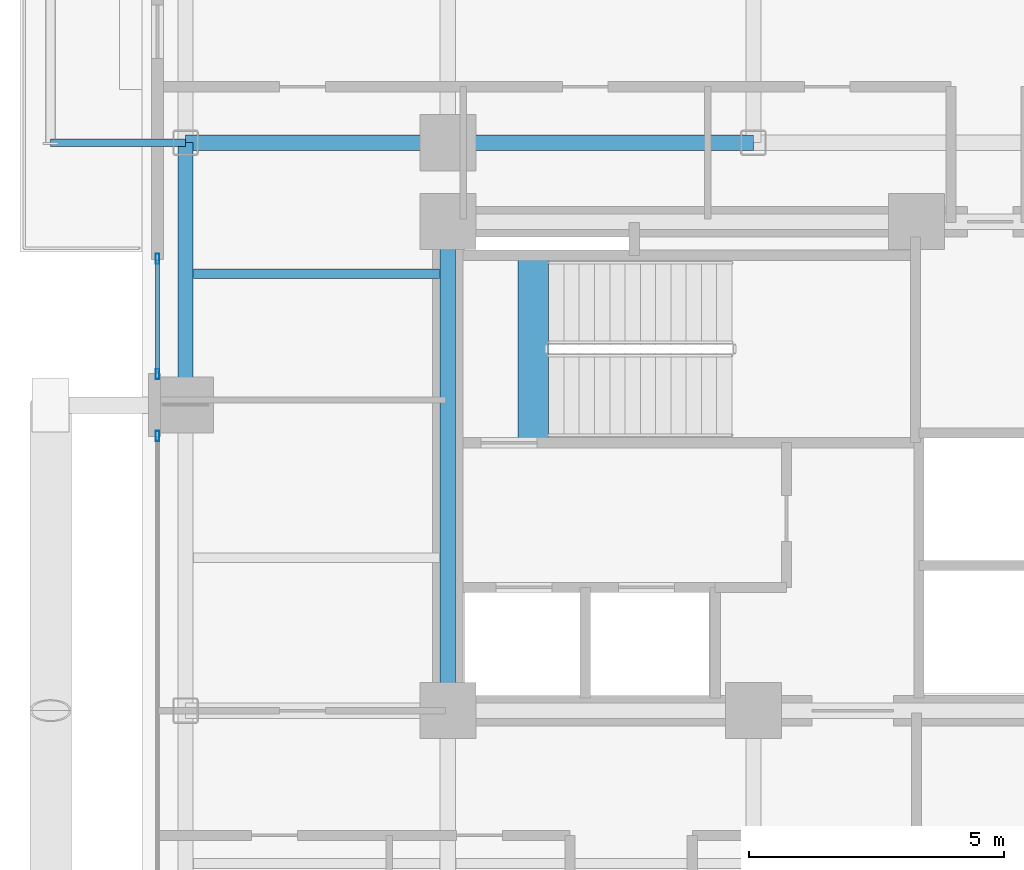
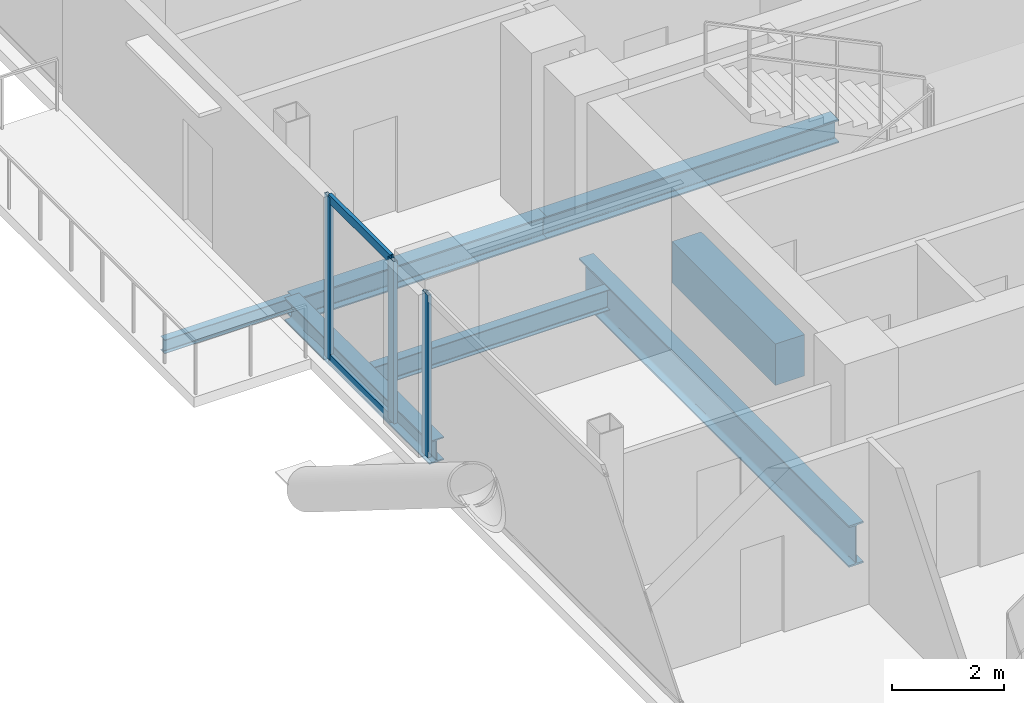
# One storey, part 7 of 28: 7 beams, 5 members, 2 elements without a shape of their own.
"""IFC4 building model written with IfcOpenShell, lengths in metres."""

from ifc_helpers import new_model, si_unit, direction, frame, origin, origin_2d, place, context, subcontext, project, spatial, rectangle, hollow_rectangle, i_section, extrude, material, layer, layer_set, material_profile, profile_set, type_object, element, aggregate, save


model = new_model("IFC4")

# Units and contexts
model_context = context("Model", 3, precision=1e-05, world=origin(), true_north=direction((0.0, 1.0)))
body_context = subcontext(model_context, "Body", "Model", "MODEL_VIEW")
ifc_project = project(units=[si_unit("LENGTHUNIT", "METRE"), si_unit("AREAUNIT", "SQUARE_METRE"), si_unit("VOLUMEUNIT", "CUBIC_METRE"), si_unit("PLANEANGLEUNIT", "RADIAN"), si_unit("MASSUNIT", "GRAM", prefix="KILO"), si_unit("THERMODYNAMICTEMPERATUREUNIT", "KELVIN"), si_unit("POWERUNIT", "WATT")], contexts=[model_context])

# Site, building, storey
site_placement = place(None, origin())
site = spatial("IfcSite", under=ifc_project, at=site_placement, CompositionType="ELEMENT")
building_placement = place(site_placement, origin())
building = spatial("IfcBuilding", under=site, at=building_placement, Name="Svarakhadi Broadcast Tower", CompositionType="ELEMENT")
storey_placement = place(building_placement, frame((0.0, 0.0, 153.14990234375)))
storey = spatial("IfcBuildingStorey", under=building, at=storey_placement, Name="L37", CompositionType="ELEMENT", Elevation=153.14990234375)

# Beam
ifc_material_1 = material(Name="Steel S355J2 (IS 2062 E350C)", Category="steel")
ifc_material_profile_1 = material_profile(ifc_material_1, i_section(OverallWidth=0.18994140625, OverallDepth=0.449951171875, WebThickness=0.009521484375, FlangeThickness=0.0146484375, FilletRadius=0.02099609375, at=origin_2d()), Name="NPB 450x190x78")
ifc_profile_set_1 = profile_set([ifc_material_profile_1], Name="Steel S355J2 (IS 2062 E350C)")
beam_type_1 = type_object("IfcBeamType", Name="Beam_NPB450", PredefinedType="BEAM", material=ifc_profile_set_1)
beam_1_placement = place(storey_placement, frame((1.010009765625, 26.574951171875, -0.449951171875), z_axis=(1.0, 0.0, 0.0), x_axis=(0.0, 1.0, 0.0)))
element("IfcBeam", 1, at=beam_1_placement, inside=storey, type_object=beam_type_1, Name="L37 Secondary Composite Beam SB004", PredefinedType="BEAM", context=body_context, shape_type="SweptSolid", body=[
    extrude(i_section(OverallWidth=0.18994140625, OverallDepth=0.449951171875, WebThickness=0.009521484375, FlangeThickness=0.0146484375, FilletRadius=0.02099609375, at=origin_2d()), origin(), (0.0, 0.0, 1.0), 4.830078125),
])

# Curtain wall, member
ifc_material_2 = material(Name="Anodised Bronze Aluminium AA 6063-T6", Category="aluminium")
ifc_layer = layer(ifc_material_2, 0.199951171875)
ifc_layer_set = layer_set([ifc_layer], Name="Anodised Bronze Aluminium AA 6063-T6")
curtain_wall_type = type_object("IfcCurtainWallType", Name="CW_Sys_03", PredefinedType="NOTDEFINED", material=ifc_layer_set)
curtain_wall_1_placement = place(storey_placement, origin())
curtain_wall_1 = element("IfcCurtainWall", 2, at=curtain_wall_1_placement, inside=storey, type_object=curtain_wall_type, Name="L37 West Curtain Wall 02 Bay 2", PredefinedType="NOTDEFINED")
ifc_material_profile_2 = material_profile(ifc_material_2, hollow_rectangle(XDim=0.074951171875, YDim=0.199951171875, WallThickness=0.005615234375, at=origin_2d()), Name="ALU MULLION 200x75x6")
ifc_profile_set_2 = profile_set([ifc_material_profile_2], Name="Anodised Bronze Aluminium AA 6063-T6")
member_type_1 = type_object("IfcMemberType", Name="CW_Sys_03_Mul", PredefinedType="MULLION", material=ifc_profile_set_2)
member_1_placement = place(storey_placement, frame((0.300048828125, 23.392578125, 0.0), z_axis=(0.0, 0.0, 1.0), x_axis=(-1.0, 0.0, 0.0)))
member_1 = element("IfcMember", 3, at=member_1_placement, type_object=member_type_1, Name="CW-03 mullion 2", PredefinedType="MULLION", context=body_context, shape_type="SweptSolid", body=[
    extrude(hollow_rectangle(XDim=0.074951171875, YDim=0.199951171875, WallThickness=0.005615234375, at=origin_2d()), origin(), (0.0, 0.0, 1.0), 3.525146484375),
])
aggregate(curtain_wall_1, [member_1])

# Curtain wall, members
curtain_wall_2_placement = place(storey_placement, origin())
curtain_wall_2 = element("IfcCurtainWall", 4, at=curtain_wall_2_placement, inside=storey, type_object=curtain_wall_type, Name="L37 West Curtain Wall 02 Bay 3", PredefinedType="NOTDEFINED")
member_2_placement = place(storey_placement, frame((0.300048828125, 24.607421875, 0.0), z_axis=(0.0, 0.0, 1.0), x_axis=(-1.0, 0.0, 0.0)))
member_2 = element("IfcMember", 5, at=member_2_placement, type_object=member_type_1, Name="CW-03 mullion 1", PredefinedType="MULLION", context=body_context, shape_type="SweptSolid", body=[
    extrude(hollow_rectangle(XDim=0.074951171875, YDim=0.199951171875, WallThickness=0.005615234375, at=origin_2d()), origin(), (0.0, 0.0, 1.0), 3.525146484375),
])
member_3_placement = place(storey_placement, frame((0.300048828125, 26.87255859375, 0.0), z_axis=(0.0, 0.0, 1.0), x_axis=(-1.0, 0.0, 0.0)))
member_3 = element("IfcMember", 6, at=member_3_placement, type_object=member_type_1, Name="CW-03 mullion 2", PredefinedType="MULLION", context=body_context, shape_type="SweptSolid", body=[
    extrude(hollow_rectangle(XDim=0.074951171875, YDim=0.199951171875, WallThickness=0.005615234375, at=origin_2d()), origin(), (0.0, 0.0, 1.0), 3.525146484375),
])
ifc_material_profile_3 = material_profile(ifc_material_2, hollow_rectangle(XDim=0.070068359375, YDim=0.18505859375, WallThickness=0.0048828125, at=origin_2d()), Name="ALU TRANSOM 185x70x5")
ifc_profile_set_3 = profile_set([ifc_material_profile_3], Name="Anodised Bronze Aluminium AA 6063-T6")
member_type_2 = type_object("IfcMemberType", Name="CW_Sys_03_Trn", PredefinedType="USERDEFINED", material=ifc_profile_set_3)
member_4_placement = place(storey_placement, frame((0.300048828125, 24.64501953125, 0.03515625), z_axis=(0.0, 1.0, 0.0), x_axis=(-1.0, 0.0, 0.0)))
member_4 = element("IfcMember", 7, at=member_4_placement, type_object=member_type_2, Name="CW-03 transom 1.1", ObjectType="TRANSOM", PredefinedType="USERDEFINED", context=body_context, shape_type="SweptSolid", body=[
    extrude(hollow_rectangle(XDim=0.070068359375, YDim=0.18505859375, WallThickness=0.0048828125, at=origin_2d()), origin(), (0.0, 0.0, 1.0), 2.18994140625),
])
member_5_placement = place(storey_placement, frame((0.300048828125, 24.64501953125, 3.489990234375), z_axis=(0.0, 1.0, 0.0), x_axis=(-1.0, 0.0, 0.0)))
member_5 = element("IfcMember", 8, at=member_5_placement, type_object=member_type_2, Name="CW-03 transom 1.2", ObjectType="TRANSOM", PredefinedType="USERDEFINED", context=body_context, shape_type="SweptSolid", body=[
    extrude(hollow_rectangle(XDim=0.070068359375, YDim=0.18505859375, WallThickness=0.0048828125, at=origin_2d()), origin(), (0.0, 0.0, 1.0), 2.18994140625),
])
aggregate(curtain_wall_2, [member_2, member_3, member_4, member_5])

# Beams
ifc_material_3 = material(Name="Concrete C50/60 (IS 456 M60)", Category="concrete")
ifc_material_profile_4 = material_profile(ifc_material_3, rectangle(XDim=0.60009765625, YDim=0.89990234375, at=origin_2d()), Name="RC 600x900")
ifc_profile_set_4 = profile_set([ifc_material_profile_4], Name="Concrete C50/60 (IS 456 M60)")
beam_type_2 = type_object("IfcBeamType", Name="Coupling_RC600", PredefinedType="USERDEFINED", material=ifc_profile_set_4)
beam_2_placement = place(storey_placement, frame((7.679931640625, 23.260009765625, -0.449951171875), z_axis=(0.0, 1.0, 0.0), x_axis=(-1.0, 0.0, 0.0)))
element("IfcBeam", 9, at=beam_2_placement, inside=storey, type_object=beam_type_2, Name="L37 Stair ST-01 Landing Throat Trimmer Beam CB-01", ObjectType="GIRDER", PredefinedType="USERDEFINED", context=body_context, shape_type="SweptSolid", body=[
    extrude(rectangle(XDim=0.60009765625, YDim=0.89990234375, at=origin_2d()), origin(), (0.0, 0.0, 1.0), 3.679931640625),
])
ifc_material_profile_5 = material_profile(ifc_material_1, i_section(OverallWidth=0.300048828125, OverallDepth=0.5, WebThickness=0.014404296875, FlangeThickness=0.028076171875, FilletRadius=0.027099609375, at=origin_2d()), Name="WPB 500x300x187")
ifc_profile_set_5 = profile_set([ifc_material_profile_5], Name="Steel S355J2 (IS 2062 E350C)")
beam_type_3 = type_object("IfcBeamType", Name="Girder_WPB500", PredefinedType="USERDEFINED", material=ifc_profile_set_5)
beam_3_placement = place(storey_placement, frame((0.85009765625, 29.14990234375, -0.474853515625), z_axis=(1.0, 0.0, 0.0), x_axis=(0.0, 1.0, 0.0)))
element("IfcBeam", 10, at=beam_3_placement, inside=storey, type_object=beam_type_3, Name="L37 Primary E-W Girder G032", ObjectType="GIRDER", PredefinedType="USERDEFINED", context=body_context, shape_type="SweptSolid", body=[
    extrude(i_section(OverallWidth=0.300048828125, OverallDepth=0.5, WebThickness=0.014404296875, FlangeThickness=0.028076171875, FilletRadius=0.027099609375, at=origin_2d()), origin(), (0.0, 0.0, 1.0), 5.14990234375),
])
beam_4_placement = place(storey_placement, frame((6.0, 29.14990234375, -0.474853515625), z_axis=(1.0, 0.0, 0.0), x_axis=(0.0, 1.0, 0.0)))
element("IfcBeam", 11, at=beam_4_placement, inside=storey, type_object=beam_type_3, Name="L37 Primary E-W Girder G033", ObjectType="GIRDER", PredefinedType="USERDEFINED", context=body_context, shape_type="SweptSolid", body=[
    extrude(i_section(OverallWidth=0.300048828125, OverallDepth=0.5, WebThickness=0.014404296875, FlangeThickness=0.028076171875, FilletRadius=0.027099609375, at=origin_2d()), origin(), (0.0, 0.0, 1.0), 6.0),
])
beam_5_placement = place(storey_placement, frame((0.85009765625, 24.0, -0.474853515625), z_axis=(0.0, 1.0, 0.0), x_axis=(-1.0, 0.0, 0.0)))
element("IfcBeam", 12, at=beam_5_placement, inside=storey, type_object=beam_type_3, Name="L37 Primary N-S Girder G043", ObjectType="GIRDER", PredefinedType="USERDEFINED", context=body_context, shape_type="SweptSolid", body=[
    extrude(i_section(OverallWidth=0.300048828125, OverallDepth=0.5, WebThickness=0.014404296875, FlangeThickness=0.028076171875, FilletRadius=0.027099609375, at=origin_2d()), origin(), (0.0, 0.0, 1.0), 5.14990234375),
])
ifc_material_4 = material(Name="Steel S460ML (IS 2062 E450BR)", Category="steel")
ifc_material_profile_6 = material_profile(ifc_material_4, i_section(OverallWidth=0.300048828125, OverallDepth=0.89990234375, WebThickness=0.0185546875, FlangeThickness=0.034912109375, FilletRadius=0.030029296875, at=origin_2d()), Name="WPB 900x300x291")
ifc_profile_set_6 = profile_set([ifc_material_profile_6], Name="Steel S460ML (IS 2062 E450BR)")
beam_type_4 = type_object("IfcBeamType", Name="Girder_WPB900", PredefinedType="USERDEFINED", material=ifc_profile_set_6)
beam_6_placement = place(storey_placement, frame((6.0, 18.0, -0.6748046875), z_axis=(0.0, 1.0, 0.0), x_axis=(-1.0, 0.0, 0.0)))
element("IfcBeam", 13, at=beam_6_placement, inside=storey, type_object=beam_type_4, Name="L37 Primary N-S Girder G048", ObjectType="GIRDER", PredefinedType="USERDEFINED", context=body_context, shape_type="SweptSolid", body=[
    extrude(i_section(OverallWidth=0.300048828125, OverallDepth=0.89990234375, WebThickness=0.0185546875, FlangeThickness=0.034912109375, FilletRadius=0.030029296875, at=origin_2d()), origin(), (0.0, 0.0, 1.0), 9.60009765625),
])
ifc_material_profile_7 = material_profile(ifc_material_1, i_section(OverallWidth=0.14990234375, OverallDepth=0.300048828125, WebThickness=0.007080078125, FlangeThickness=0.0107421875, FilletRadius=0.014892578125, at=origin_2d()), Name="NPB 300x150x37")
ifc_profile_set_7 = profile_set([ifc_material_profile_7], Name="Steel S355J2 (IS 2062 E350C)")
beam_type_5 = type_object("IfcBeamType", Name="Spandrel_NPB300", PredefinedType="SPANDREL", material=ifc_profile_set_7)
beam_7_placement = place(storey_placement, frame((0.85009765625, 29.14990234375, -0.375), z_axis=(-1.0, 0.0, 0.0), x_axis=(0.0, -1.0, 0.0)))
element("IfcBeam", 14, at=beam_7_placement, inside=storey, type_object=beam_type_5, Name="L37 Balcony Cantilever Bracket 2A", PredefinedType="SPANDREL", context=body_context, shape_type="SweptSolid", body=[
    extrude(i_section(OverallWidth=0.14990234375, OverallDepth=0.300048828125, WebThickness=0.007080078125, FlangeThickness=0.0107421875, FilletRadius=0.014892578125, at=origin_2d()), origin(), (0.0, 0.0, 1.0), 2.650146484375),
])

save(model, "model.ifc")
